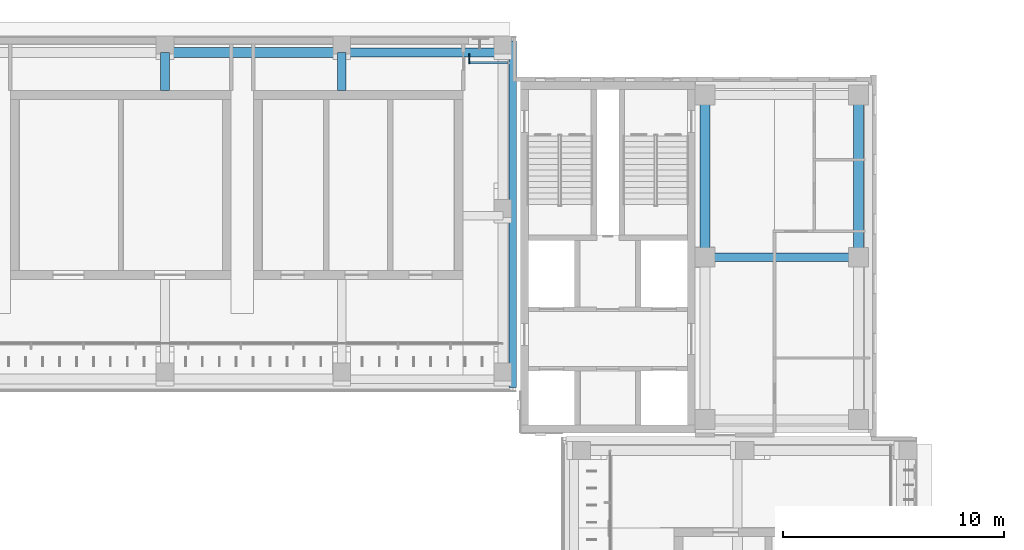
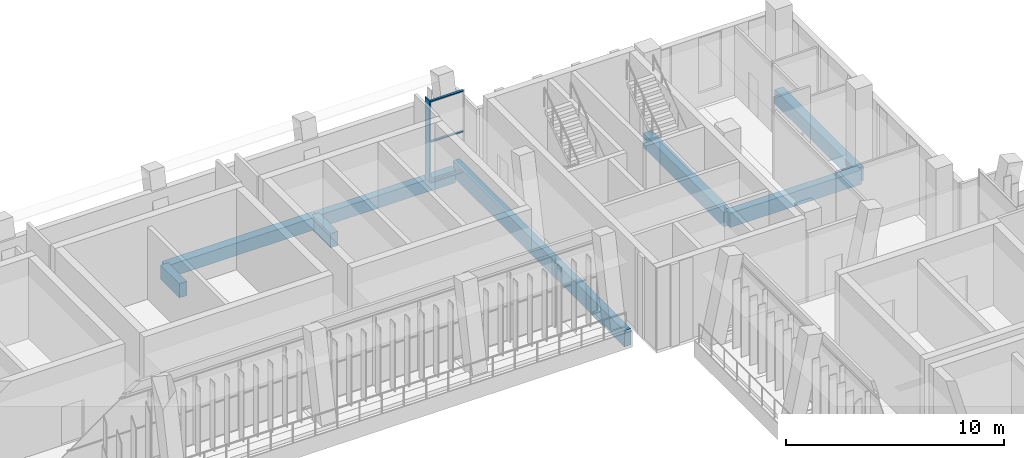
# One storey, part 85 of 141: 8 beams, 4 members, 1 element without a shape of its own.
"""IFC4 building model written with IfcOpenShell, lengths in metres."""

from ifc_helpers import new_model, si_unit, direction, frame, origin, origin_2d, place, context, subcontext, project, spatial, rectangle, extrude, material, material_profile, profile_set, type_object, element, aggregate, save


model = new_model("IFC4")

# Units and contexts
model_context = context("Model", 3, precision=1e-05, world=origin(), true_north=direction((0.0, 1.0)))
body_context = subcontext(model_context, "Body", "Model", "MODEL_VIEW")
ifc_project = project(units=[si_unit("LENGTHUNIT", "METRE"), si_unit("AREAUNIT", "SQUARE_METRE"), si_unit("VOLUMEUNIT", "CUBIC_METRE"), si_unit("PLANEANGLEUNIT", "RADIAN"), si_unit("MASSUNIT", "GRAM", prefix="KILO")], contexts=[model_context])

# Site, building, storey
site_placement = place(None, origin())
site = spatial("IfcSite", under=ifc_project, at=site_placement, CompositionType="ELEMENT")
building_placement = place(site_placement, origin())
building = spatial("IfcBuilding", under=site, at=building_placement, Name="Lantern Court Media Centre", CompositionType="ELEMENT")
storey_placement = place(building_placement, frame((0.0, 0.0, 9.60009765625)))
storey = spatial("IfcBuildingStorey", under=building, at=storey_placement, Name="L02", CompositionType="ELEMENT", Elevation=9.60009765625)

# Curtain wall, members
ifc_material_1 = material(Name="Curtain wall bay 3000")
curtain_wall_type = type_object("IfcCurtainWallType", Name="Curtain wall bay 3000", PredefinedType="NOTDEFINED", material=ifc_material_1)
curtain_wall_placement = place(storey_placement, origin())
curtain_wall = element("IfcCurtainWall", 1, at=curtain_wall_placement, inside=storey, type_object=curtain_wall_type, Name="Curtain wall N outer L02", PredefinedType="NOTDEFINED")
ifc_material_2 = material(Name="Anodised aluminium", Category="aluminium")
ifc_material_profile_1 = material_profile(ifc_material_2, rectangle(XDim=0.449951171875, YDim=0.06005859375, at=origin_2d()), Name="AL 60x450")
ifc_profile_set_1 = profile_set([ifc_material_profile_1], Name="Anodised aluminium")
member_type_1 = type_object("IfcMemberType", Name="Curtain wall mullion 60x450", PredefinedType="MULLION", material=ifc_profile_set_1)
member_1_placement = place(storey_placement, frame((77.780029296875, 113.044921875, 0.0), z_axis=(0.0, 0.0, 1.0), x_axis=(0.0, 1.0, 0.0)))
member_1 = element("IfcMember", 2, at=member_1_placement, type_object=member_type_1, Name="CW1 mullion 1", PredefinedType="MULLION", context=body_context, shape_type="SweptSolid", body=[
    extrude(rectangle(XDim=0.449951171875, YDim=0.06005859375, at=origin_2d()), origin(), (0.0, 0.0, 1.0), 4.579833984375),
])
ifc_material_profile_2 = material_profile(ifc_material_2, rectangle(XDim=0.1201171875, YDim=0.06005859375, at=origin_2d()), Name="AL 60x120")
ifc_profile_set_2 = profile_set([ifc_material_profile_2], Name="Anodised aluminium")
member_type_2 = type_object("IfcMemberType", Name="Curtain wall transom 60x120", PredefinedType="USERDEFINED", material=ifc_profile_set_2)
member_2_placement = place(storey_placement, frame((77.81005859375, 112.85009765625, 0.02978515625), z_axis=(1.0, 0.0, 0.0), x_axis=(0.0, 1.0, 0.0)))
member_2 = element("IfcMember", 3, at=member_2_placement, type_object=member_type_2, Name="CW1 transom 1.1", ObjectType="TRANSOM", PredefinedType="USERDEFINED", context=body_context, shape_type="SweptSolid", body=[
    extrude(rectangle(XDim=0.1201171875, YDim=0.06005859375, at=origin_2d()), origin(), (0.0, 0.0, 1.0), 1.7099609375),
])
member_3_placement = place(storey_placement, frame((77.81005859375, 112.85009765625, 2.289794921875), z_axis=(1.0, 0.0, 0.0), x_axis=(0.0, 1.0, 0.0)))
member_3 = element("IfcMember", 4, at=member_3_placement, type_object=member_type_2, Name="CW1 transom 1.2", ObjectType="TRANSOM", PredefinedType="USERDEFINED", context=body_context, shape_type="SweptSolid", body=[
    extrude(rectangle(XDim=0.1201171875, YDim=0.06005859375, at=origin_2d()), origin(), (0.0, 0.0, 1.0), 1.7099609375),
])
member_4_placement = place(storey_placement, frame((77.81005859375, 112.85009765625, 4.5498046875), z_axis=(1.0, 0.0, 0.0), x_axis=(0.0, 1.0, 0.0)))
member_4 = element("IfcMember", 5, at=member_4_placement, type_object=member_type_2, Name="CW1 transom 1.3", ObjectType="TRANSOM", PredefinedType="USERDEFINED", context=body_context, shape_type="SweptSolid", body=[
    extrude(rectangle(XDim=0.1201171875, YDim=0.06005859375, at=origin_2d()), origin(), (0.0, 0.0, 1.0), 1.7099609375),
])
aggregate(curtain_wall, [member_1, member_2, member_3, member_4])

# Beams
ifc_material_3 = material(Name="Concrete C35", Category="concrete")
ifc_material_profile_3 = material_profile(ifc_material_3, rectangle(XDim=0.35009765625, YDim=0.89990234375, at=origin_2d()), Name="RC 350x900")
ifc_profile_set_3 = profile_set([ifc_material_profile_3], Name="Concrete C35")
beam_type_1 = type_object("IfcBeamType", Name="RC BEAM 350x900", PredefinedType="BEAM", material=ifc_profile_set_3)
beam_1_placement = place(storey_placement, frame((79.75, 98.14990234375, -0.4501953125), z_axis=(0.0, 1.0, 0.0), x_axis=(-1.0, 0.0, 0.0)))
element("IfcBeam", 6, at=beam_1_placement, inside=storey, type_object=beam_type_1, Name="EB-N-L02-D", PredefinedType="BEAM", context=body_context, shape_type="SweptSolid", body=[
    extrude(rectangle(XDim=0.35009765625, YDim=0.89990234375, at=origin_2d()), origin(), (0.0, 0.0, 1.0), 15.7001953125),
])
ifc_material_profile_4 = material_profile(ifc_material_3, rectangle(XDim=0.39990234375, YDim=0.699951171875, at=origin_2d()), Name="RC 400x700")
ifc_profile_set_4 = profile_set([ifc_material_profile_4], Name="Concrete C35")
beam_type_2 = type_object("IfcBeamType", Name="RC BEAM 400x700", PredefinedType="BEAM", material=ifc_profile_set_4)
beam_2_placement = place(storey_placement, frame((72.0, 113.3271484375, -0.35009765625), z_axis=(1.0, 0.0, 0.0), x_axis=(0.0, 1.0, 0.0)))
element("IfcBeam", 7, at=beam_2_placement, inside=storey, type_object=beam_type_2, Name="LB-N-L02-2-6", PredefinedType="BEAM", context=body_context, shape_type="SweptSolid", body=[
    extrude(rectangle(XDim=0.39990234375, YDim=0.699951171875, at=origin_2d()), origin(), (0.0, 0.0, 1.0), 7.300048828125),
])
ifc_material_profile_5 = material_profile(ifc_material_3, rectangle(XDim=0.39990234375, YDim=0.800048828125, at=origin_2d()), Name="RC 400x800")
ifc_profile_set_5 = profile_set([ifc_material_profile_5], Name="Concrete C35")
beam_type_3 = type_object("IfcBeamType", Name="RC BEAM 400x800", PredefinedType="BEAM", material=ifc_profile_set_5)
beam_3_placement = place(storey_placement, frame((88.449951171875, 104.050048828125, -0.400146484375), z_axis=(1.0, 0.0, 0.0), x_axis=(0.0, 1.0, 0.0)))
element("IfcBeam", 8, at=beam_3_placement, inside=storey, type_object=beam_type_3, Name="BB-NE-L02-Y0-104", PredefinedType="BEAM", context=body_context, shape_type="SweptSolid", body=[
    extrude(rectangle(XDim=0.39990234375, YDim=0.800048828125, at=origin_2d()), origin(), (0.0, 0.0, 1.0), 6.949951171875),
])
for number, where, z_axis, x_axis, name in (
    (9, (64.0, 111.60009765625, -0.400146484375), (0.0, 1.0, 0.0), (-1.0, 0.0, 0.0), "TB-N-L02-5-11"),
    (10, (72.0, 111.60009765625, -0.400146484375), (0.0, 1.0, 0.0), (-1.0, 0.0, 0.0), "TB-N-L02-6-11"),
):
    element("IfcBeam", number, at=place(storey_placement, frame(where, z_axis=z_axis, x_axis=x_axis)), inside=storey, type_object=beam_type_3, Name=name, PredefinedType="BEAM", context=body_context, shape_type="SweptSolid", body=[
        extrude(rectangle(XDim=0.39990234375, YDim=0.800048828125, at=origin_2d()), origin(), (0.0, 0.0, 1.0), 1.716552734375),
    ])
ifc_material_profile_6 = material_profile(ifc_material_3, rectangle(XDim=0.449951171875, YDim=0.699951171875, at=origin_2d()), Name="RC 450x700")
ifc_profile_set_6 = profile_set([ifc_material_profile_6], Name="Concrete C35")
beam_type_4 = type_object("IfcBeamType", Name="RC BEAM 450x700", PredefinedType="BEAM", material=ifc_profile_set_6)
beam_4_placement = place(storey_placement, frame((64.0, 113.3271484375, -0.35009765625), z_axis=(1.0, 0.0, 0.0), x_axis=(0.0, 1.0, 0.0)))
element("IfcBeam", 11, at=beam_4_placement, inside=storey, type_object=beam_type_4, Name="LB-N-L02-2-5", PredefinedType="BEAM", context=body_context, shape_type="SweptSolid", body=[
    extrude(rectangle(XDim=0.449951171875, YDim=0.699951171875, at=origin_2d()), origin(), (0.0, 0.0, 1.0), 8.0),
])
ifc_material_profile_7 = material_profile(ifc_material_3, rectangle(XDim=0.449951171875, YDim=0.800048828125, at=origin_2d()), Name="RC 450x800")
ifc_profile_set_7 = profile_set([ifc_material_profile_7], Name="Concrete C35")
beam_type_5 = type_object("IfcBeamType", Name="RC BEAM 450x800", PredefinedType="BEAM", material=ifc_profile_set_7)
for number, where, z_axis, x_axis, name in (
    (12, (88.449951171875, 104.050048828125, -0.400146484375), (0.0, 1.0, 0.0), (-1.0, 0.0, 0.0), "BB-NE-L02-X1-88"),
    (13, (95.39990234375, 104.050048828125, -0.400146484375), (0.0, 1.0, 0.0), (-1.0, 0.0, 0.0), "BB-NE-L02-X1-95"),
):
    element("IfcBeam", number, at=place(storey_placement, frame(where, z_axis=z_axis, x_axis=x_axis)), inside=storey, type_object=beam_type_5, Name=name, PredefinedType="BEAM", context=body_context, shape_type="SweptSolid", body=[
        extrude(rectangle(XDim=0.449951171875, YDim=0.800048828125, at=origin_2d()), origin(), (0.0, 0.0, 1.0), 7.349853515625),
    ])

save(model, "model.ifc")
